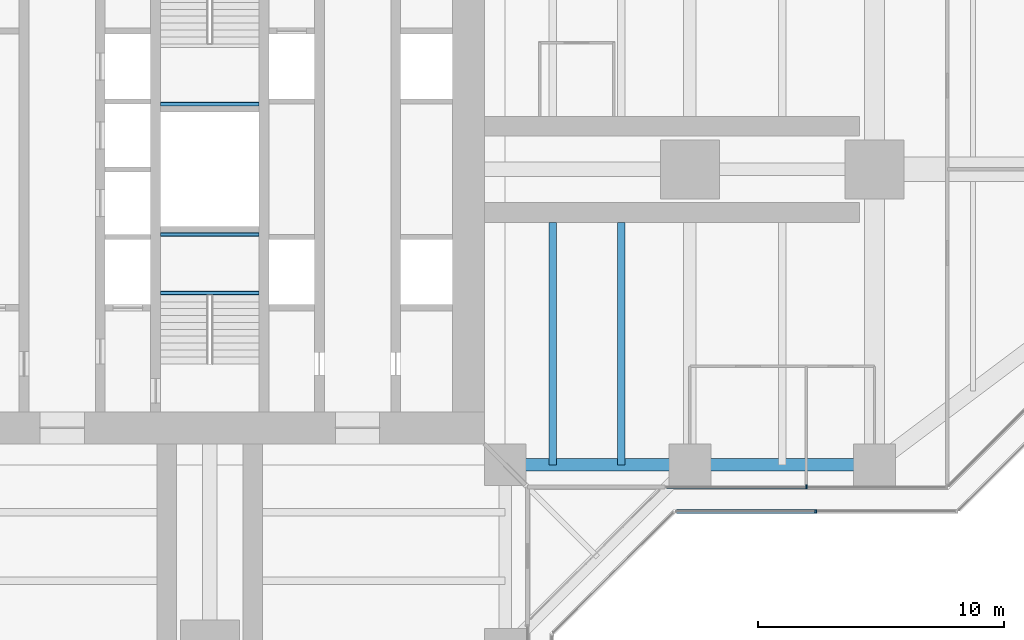
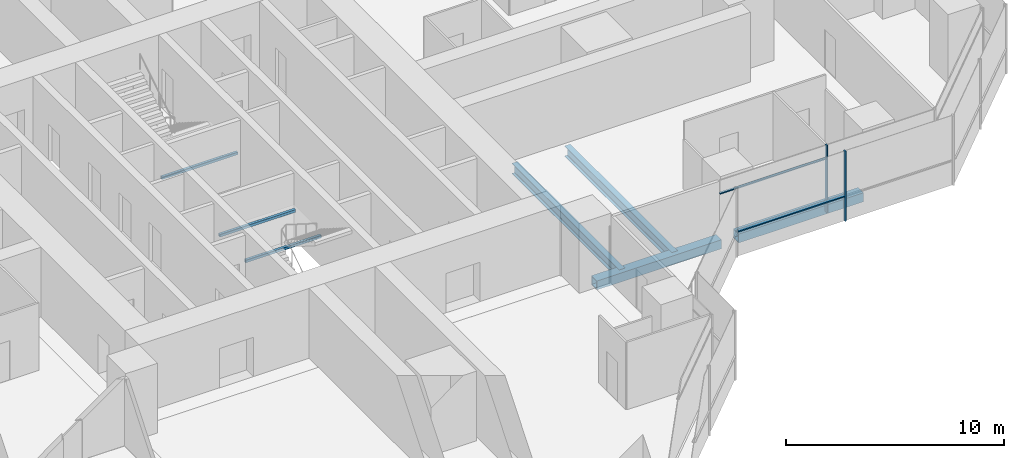
# One storey, part 5 of 20: 7 beams, 4 members, 2 elements without a shape of their own.
"""IFC4 building model written with IfcOpenShell, lengths in metres."""

from ifc_helpers import new_model, si_unit, direction, frame, origin, origin_2d, place, context, subcontext, project, spatial, rectangle, hollow_rectangle, i_section, extrude, material, material_profile, profile_set, type_object, element, aggregate, save


model = new_model("IFC4")

# Units and contexts
model_context = context("Model", 3, precision=1e-05, world=origin(), true_north=direction((0.0, 1.0)))
body_context = subcontext(model_context, "Body", "Model", "MODEL_VIEW")
ifc_project = project(units=[si_unit("LENGTHUNIT", "METRE"), si_unit("AREAUNIT", "SQUARE_METRE"), si_unit("VOLUMEUNIT", "CUBIC_METRE"), si_unit("PLANEANGLEUNIT", "RADIAN"), si_unit("MASSUNIT", "GRAM", prefix="KILO")], contexts=[model_context])

# Site, building, storey
site_placement = place(None, origin())
site = spatial("IfcSite", under=ifc_project, at=site_placement, CompositionType="ELEMENT")
building_placement = place(site_placement, origin())
building = spatial("IfcBuilding", under=site, at=building_placement, Name="Mizan Broadcast Tower", CompositionType="ELEMENT")
storey_placement = place(building_placement, frame((0.0, 0.0, 155.39990234375)))
storey = spatial("IfcBuildingStorey", under=building, at=storey_placement, Name="L35", CompositionType="ELEMENT", Elevation=155.39990234375)

# Beams
ifc_material_1 = material(Name="Steel S355", Category="steel")
ifc_material_profile_1 = material_profile(ifc_material_1, hollow_rectangle(XDim=0.5, YDim=0.5, WallThickness=0.030029296875, at=origin_2d()), Name="BOX 500x500x30")
ifc_profile_set_1 = profile_set([ifc_material_profile_1], Name="Steel S355")
beam_type_1 = type_object("IfcBeamType", Name="EDGE BEAM BOX 500x500x30", PredefinedType="SPANDREL", material=ifc_profile_set_1)
for number, where, z_axis, x_axis, name in (
    (1, (12.449951171875, -12.0, -0.3798828125), (1.0, 0.0, 0.0), (0.0, 1.0, 0.0), "Edge beam BOX 500x500x30 L35 east arm"),
    (2, (19.949951171875, -12.0, -0.3798828125), (1.0, 0.0, 0.0), (0.0, 1.0, 0.0), "Edge beam BOX 500x500x30 L35 east arm"),
):
    element("IfcBeam", number, at=place(storey_placement, frame(where, z_axis=z_axis, x_axis=x_axis)), inside=storey, type_object=beam_type_1, Name=name, PredefinedType="SPANDREL", context=body_context, shape_type="SweptSolid", body=[
        extrude(hollow_rectangle(XDim=0.5, YDim=0.5, WallThickness=0.030029296875, at=origin_2d()), origin(), (0.0, 0.0, 1.0), 6.60009765625),
    ])

# Curtain wall, members
ifc_material_2 = material(Name="Aluminium framed glazing", Category="aluminium")
curtain_wall_type_1 = type_object("IfcCurtainWallType", Name="INNER SKIN MID ZONE", PredefinedType="USERDEFINED", material=ifc_material_2)
curtain_wall_1_placement = place(storey_placement, origin())
curtain_wall_1 = element("IfcCurtainWall", 3, at=curtain_wall_1_placement, inside=storey, type_object=curtain_wall_type_1, Name="Inner skin mid zone L35 E side", ObjectType="INNER SKIN MID ZONE", PredefinedType="USERDEFINED")
ifc_material_3 = material(Name="Aluminium, pale anodised", Category="aluminium")
ifc_material_profile_2 = material_profile(ifc_material_3, rectangle(XDim=0.159912109375, YDim=0.06005859375, at=origin_2d()), Name="MULLION 160x60")
ifc_profile_set_2 = profile_set([ifc_material_profile_2], Name="Aluminium, pale anodised")
member_type_1 = type_object("IfcMemberType", Name="INNER SKIN MULLION 60x160", PredefinedType="MULLION", material=ifc_profile_set_2)
member_1_placement = place(storey_placement, frame((24.229248046875, -12.89990234375, 0.0), z_axis=(0.0, 0.0, 1.0), x_axis=(0.0, 1.0, 0.0)))
member_1 = element("IfcMember", 4, at=member_1_placement, type_object=member_type_1, Name="Inner skin mid zone L35 E side mullion 2", PredefinedType="MULLION", context=body_context, shape_type="SweptSolid", body=[
    extrude(rectangle(XDim=0.159912109375, YDim=0.06005859375, at=origin_2d()), origin(), (0.0, 0.0, 1.0), 3.77001953125),
])
ifc_material_4 = material(Name="Aluminium, pale anodised", Category="aluminium")
ifc_material_profile_3 = material_profile(ifc_material_4, rectangle(XDim=0.1201171875, YDim=0.06005859375, at=origin_2d()), Name="TRANSOM 120x60")
ifc_profile_set_3 = profile_set([ifc_material_profile_3], Name="Aluminium, pale anodised")
member_type_2 = type_object("IfcMemberType", Name="INNER SKIN TRANSOM 60x120", PredefinedType="USERDEFINED", material=ifc_profile_set_3)
member_2_placement = place(storey_placement, frame((18.56005859375, -12.89990234375, 3.030029296875), z_axis=(1.0, 0.0, 0.0), x_axis=(0.0, 1.0, 0.0)))
member_2 = element("IfcMember", 5, at=member_2_placement, type_object=member_type_2, Name="Inner skin mid zone L35 E side transom 1.1", ObjectType="TRANSOM", PredefinedType="USERDEFINED", context=body_context, shape_type="SweptSolid", body=[
    extrude(rectangle(XDim=0.1201171875, YDim=0.06005859375, at=origin_2d()), origin(), (0.0, 0.0, 1.0), 5.63916015625),
])
aggregate(curtain_wall_1, [member_1, member_2])

# Beams
ifc_material_5 = material(Name="Steel S355", Category="steel")
ifc_material_profile_4 = material_profile(ifc_material_5, hollow_rectangle(XDim=0.14990234375, YDim=0.14990234375, WallThickness=0.008056640625, InnerFilletRadius=0.008056640625, OuterFilletRadius=0.011962890625, at=origin_2d()), Name="SHS 150x150x8")
ifc_profile_set_4 = profile_set([ifc_material_profile_4], Name="Steel S355")
beam_type_2 = type_object("IfcBeamType", Name="LANDING TRIMMER SHS 150x150x8", PredefinedType="BEAM", material=ifc_profile_set_4)
for number, where, z_axis, x_axis, name in (
    (6, (-2.0, -5.02490234375, 1.675048828125), (1.0, 0.0, 0.0), (0.0, 1.0, 0.0), "Stair A landing trimmer L35"),
    (7, (-2.0, -2.64990234375, 1.675048828125), (1.0, 0.0, 0.0), (0.0, 1.0, 0.0), "Stair A landing trimmer L35"),
    (8, (2.0, 2.64990234375, 1.675048828125), (-1.0, 0.0, 0.0), (0.0, -1.0, 0.0), "Stair B landing trimmer L35"),
):
    element("IfcBeam", number, at=place(storey_placement, frame(where, z_axis=z_axis, x_axis=x_axis)), inside=storey, type_object=beam_type_2, Name=name, PredefinedType="BEAM", context=body_context, shape_type="SweptSolid", body=[
        extrude(hollow_rectangle(XDim=0.14990234375, YDim=0.14990234375, WallThickness=0.008056640625, InnerFilletRadius=0.008056640625, OuterFilletRadius=0.011962890625, at=origin_2d()), origin(), (0.0, 0.0, 1.0), 4.0),
    ])

# Curtain wall, members
ifc_material_6 = material(Name="Aluminium framed glazing", Category="aluminium")
curtain_wall_type_2 = type_object("IfcCurtainWallType", Name="OUTER SKIN", PredefinedType="USERDEFINED", material=ifc_material_6)
curtain_wall_2_placement = place(storey_placement, origin())
curtain_wall_2 = element("IfcCurtainWall", 9, at=curtain_wall_2_placement, inside=storey, type_object=curtain_wall_type_2, Name="Outer skin L35 E side", ObjectType="OUTER SKIN", PredefinedType="USERDEFINED")
ifc_material_7 = material(Name="Aluminium, pale anodised", Category="aluminium")
ifc_material_profile_5 = material_profile(ifc_material_7, rectangle(XDim=0.159912109375, YDim=0.080078125, at=origin_2d()), Name="MULLION 160x80")
ifc_profile_set_5 = profile_set([ifc_material_profile_5], Name="Aluminium, pale anodised")
member_type_3 = type_object("IfcMemberType", Name="OUTER SKIN MULLION 80x160", PredefinedType="MULLION", material=ifc_profile_set_5)
member_3_placement = place(storey_placement, frame((24.622802734375, -13.89990234375, 0.0), z_axis=(0.0, 0.0, 1.0), x_axis=(0.0, 1.0, 0.0)))
member_3 = element("IfcMember", 10, at=member_3_placement, type_object=member_type_3, Name="Outer skin L35 E side mullion 2", PredefinedType="MULLION", context=body_context, shape_type="SweptSolid", body=[
    extrude(rectangle(XDim=0.159912109375, YDim=0.080078125, at=origin_2d()), origin(), (0.0, 0.0, 1.0), 3.900146484375),
])
ifc_material_8 = material(Name="Aluminium, pale anodised", Category="aluminium")
ifc_material_profile_6 = material_profile(ifc_material_8, rectangle(XDim=0.159912109375, YDim=0.06005859375, at=origin_2d()), Name="TRANSOM 160x60")
ifc_profile_set_6 = profile_set([ifc_material_profile_6], Name="Aluminium, pale anodised")
member_type_4 = type_object("IfcMemberType", Name="OUTER SKIN TRANSOM 60x160", PredefinedType="USERDEFINED", material=ifc_profile_set_6)
member_4_placement = place(storey_placement, frame((18.952880859375, -13.89990234375, 1.400146484375), z_axis=(1.0, 0.0, 0.0), x_axis=(0.0, 1.0, 0.0)))
member_4 = element("IfcMember", 11, at=member_4_placement, type_object=member_type_4, Name="Outer skin L35 E side transom 1.1", ObjectType="TRANSOM", PredefinedType="USERDEFINED", context=body_context, shape_type="SweptSolid", body=[
    extrude(rectangle(XDim=0.159912109375, YDim=0.06005859375, at=origin_2d()), origin(), (0.0, 0.0, 1.0), 5.6298828125),
])
aggregate(curtain_wall_2, [member_3, member_4])

# Beams
ifc_material_9 = material(Name="Steel S355", Category="steel")
ifc_material_profile_7 = material_profile(ifc_material_9, i_section(OverallWidth=0.300048828125, OverallDepth=0.590087890625, WebThickness=0.012939453125, FlangeThickness=0.02490234375, FilletRadius=0.027099609375, at=origin_2d()), Name="HEA 600")
ifc_profile_set_7 = profile_set([ifc_material_profile_7], Name="Steel S355")
beam_type_3 = type_object("IfcBeamType", Name="SECONDARY BEAM HEA 600", PredefinedType="JOIST", material=ifc_profile_set_7)
for number, where, z_axis, x_axis, name in (
    (12, (13.933349609375, -12.0, -0.4248046875), (0.0, 1.0, 0.0), (-1.0, 0.0, 0.0), "Secondary beam HEA 600 L35 east arm"),
    (13, (16.716552734375, -12.0, -0.4248046875), (0.0, 1.0, 0.0), (-1.0, 0.0, 0.0), "Secondary beam HEA 600 L35 east arm"),
):
    element("IfcBeam", number, at=place(storey_placement, frame(where, z_axis=z_axis, x_axis=x_axis)), inside=storey, type_object=beam_type_3, Name=name, PredefinedType="JOIST", context=body_context, shape_type="SweptSolid", body=[
        extrude(i_section(OverallWidth=0.300048828125, OverallDepth=0.590087890625, WebThickness=0.012939453125, FlangeThickness=0.02490234375, FilletRadius=0.027099609375, at=origin_2d()), origin(), (0.0, 0.0, 1.0), 9.85009765625),
    ])

save(model, "model.ifc")
